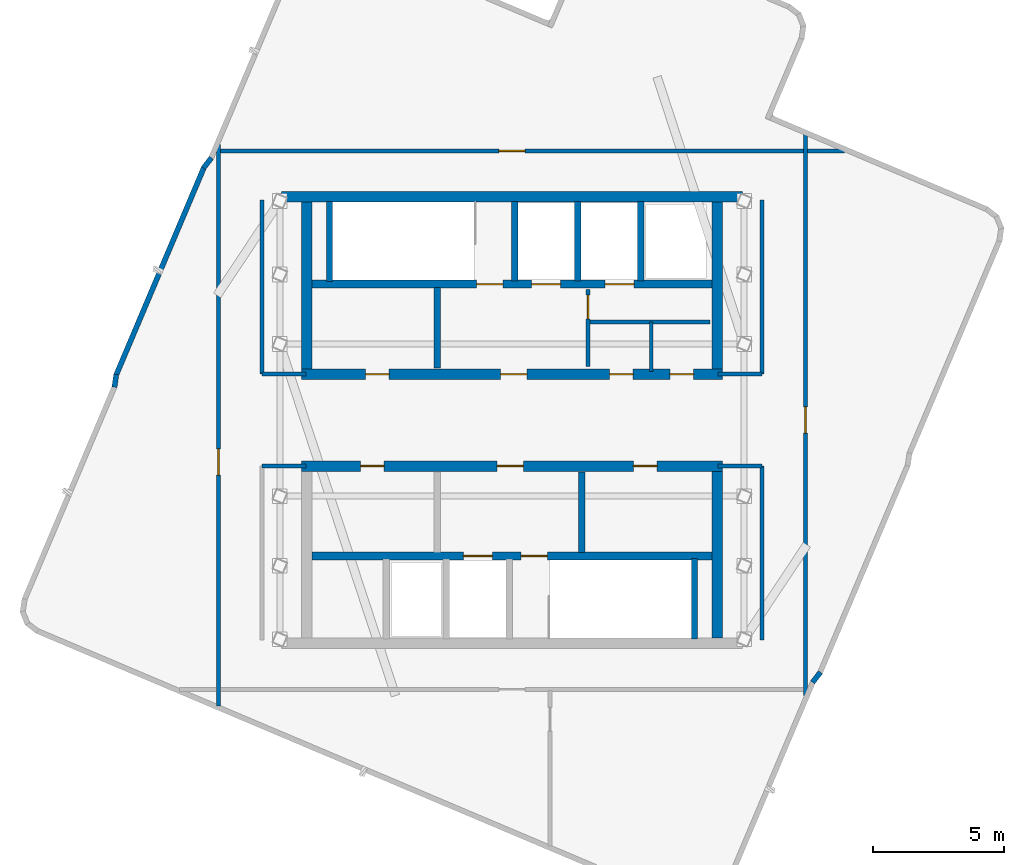
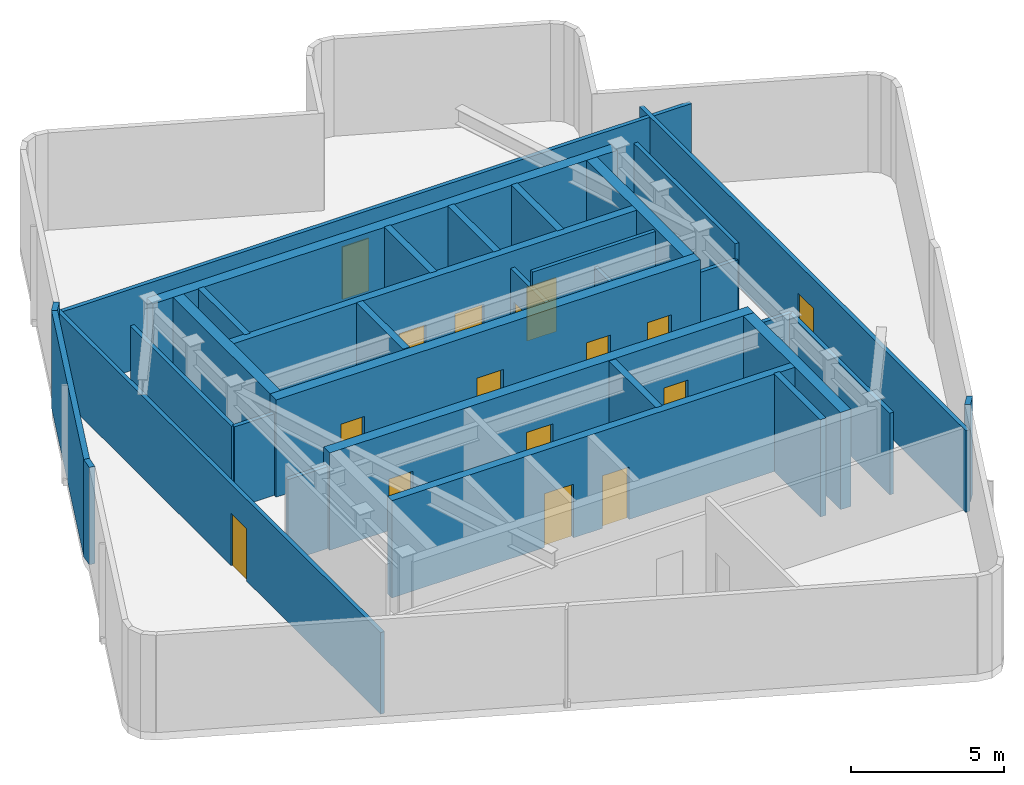
# One storey, part 2 of 4: 32 walls, 16 doors, 16 openings.
"""IFC4 building model written with IfcOpenShell, lengths in metres."""

from ifc_helpers import new_model, si_unit, direction, frame, frame_2d, origin, place, context, subcontext, project, spatial, rectangle, extrude, material, layer, layer_set, type_object, element, fill, save


model = new_model("IFC4")

# Units and contexts
model_context = context("Model", 3, precision=1e-05, world=origin(), true_north=direction((0.0, 1.0)))
body_context = subcontext(model_context, "Body", "Model", "MODEL_VIEW")
ifc_project = project(units=[si_unit("LENGTHUNIT", "METRE"), si_unit("AREAUNIT", "SQUARE_METRE"), si_unit("VOLUMEUNIT", "CUBIC_METRE"), si_unit("PLANEANGLEUNIT", "RADIAN"), si_unit("MASSUNIT", "GRAM", prefix="KILO")], contexts=[model_context])

# Site, building, storey
site_placement = place(None, origin())
site = spatial("IfcSite", under=ifc_project, at=site_placement, CompositionType="ELEMENT")
building_placement = place(site_placement, origin())
building = spatial("IfcBuilding", under=site, at=building_placement, Name="Solmarez Civic Tower", CompositionType="ELEMENT")
storey_placement = place(building_placement, frame((0.0, 0.0, 301.679931640625)))
storey = spatial("IfcBuildingStorey", under=building, at=storey_placement, Name="L81 Crown", CompositionType="ELEMENT", Elevation=301.679931640625)

# Wall
ifc_material_1 = material(Name="Concrete C50/60", Category="concrete")
ifc_layer_1 = layer(ifc_material_1, 0.39990234375)
ifc_layer_set_1 = layer_set([ifc_layer_1], Name="Concrete C50/60")
wall_type_1 = type_object("IfcWallType", Name="WALL-CORE-400", PredefinedType="SHEAR", material=ifc_layer_set_1)
wall_1_placement = place(storey_placement, frame((-8.780029296875, 8.510009765625, 0.0), z_axis=(0.0, 0.0, 1.0), x_axis=(1.0, 0.0, 0.0)))
element("IfcWall", 1, at=wall_1_placement, inside=storey, type_object=wall_type_1, Name="L81 Crown Split-Core Structural Wall NCW-N-L81 Crown", PredefinedType="SHEAR", context=body_context, shape_type="SweptSolid", body=[
    extrude(rectangle(XDim=17.56005859375, YDim=0.39990234375, at=frame_2d((8.780029296875, 0.0))), origin(), (0.0, 0.0, 1.0), 3.89013671875),
])

# Wall, openings, doors
wall_2_placement = place(storey_placement, frame((8.02001953125, 1.75, 0.0), z_axis=(0.0, 0.0, 1.0), x_axis=(-1.0, 0.0, 0.0)))
wall_2 = element("IfcWall", 2, at=wall_2_placement, inside=storey, type_object=wall_type_1, Name="L81 Crown Split-Core Structural Wall NCW-S-L81 Crown", PredefinedType="SHEAR", context=body_context, shape_type="SweptSolid", body=[
    extrude(rectangle(XDim=16.0400390625, YDim=0.39990234375, at=frame_2d((8.02001953125, 0.0))), origin(), (0.0, 0.0, 1.0), 3.89013671875),
])
opening_1_placement = place(wall_2_placement, frame((7.449951171875, 0.0, 0.0)))
opening_1 = element("IfcOpeningElement", 3, at=opening_1_placement, cuts=wall_2, Name="Opening D-04", PredefinedType="OPENING", context=body_context, shape_type="SweptSolid", body=[
    extrude(rectangle(XDim=1.0, YDim=2.10009765625, at=frame_2d((0.5, 1.050048828125))), frame((0.0, 0.2099609375, 0.0), z_axis=(0.0, -1.0, 0.0), x_axis=(1.0, 0.0, 0.0)), (0.0, 0.0, 1.0), 0.419921875),
])
opening_2_placement = place(wall_2_placement, frame((12.699951171875, 0.0, 0.0)))
opening_2 = element("IfcOpeningElement", 4, at=opening_2_placement, cuts=wall_2, Name="Opening D-09", PredefinedType="OPENING", context=body_context, shape_type="SweptSolid", body=[
    extrude(rectangle(XDim=0.89990234375, YDim=2.06005859375, at=frame_2d((0.449951171875, 1.030029296875))), frame((0.0, 0.2099609375, 0.0), z_axis=(0.0, -1.0, 0.0), x_axis=(1.0, 0.0, 0.0)), (0.0, 0.0, 1.0), 0.419921875),
])
opening_3_placement = place(wall_2_placement, frame((3.39990234375, 0.0, 0.0)))
opening_3 = element("IfcOpeningElement", 5, at=opening_3_placement, cuts=wall_2, Name="Opening D-09", PredefinedType="OPENING", context=body_context, shape_type="SweptSolid", body=[
    extrude(rectangle(XDim=0.89990234375, YDim=2.06005859375, at=frame_2d((0.449951171875, 1.030029296875))), frame((0.0, 0.2099609375, 0.0), z_axis=(0.0, -1.0, 0.0), x_axis=(1.0, 0.0, 0.0)), (0.0, 0.0, 1.0), 0.419921875),
])
opening_4_placement = place(wall_2_placement, frame((1.10009765625, 0.0, 0.0)))
opening_4 = element("IfcOpeningElement", 6, at=opening_4_placement, cuts=wall_2, Name="Opening D-09", PredefinedType="OPENING", context=body_context, shape_type="SweptSolid", body=[
    extrude(rectangle(XDim=0.89990234375, YDim=2.06005859375, at=frame_2d((0.449951171875, 1.030029296875))), frame((0.0, 0.2099609375, 0.0), z_axis=(0.0, -1.0, 0.0), x_axis=(1.0, 0.0, 0.0)), (0.0, 0.0, 1.0), 0.419921875),
])
ifc_material_2 = material(Name="Steel-Faced Acoustic Fire Door", Category="steel")
door_type_1 = type_object("IfcDoorType", Name="DOOR-FD60-1000", OperationType="NOTDEFINED", PredefinedType="DOOR", material=ifc_material_2)
door_1_placement = place(opening_1_placement, origin())
door_1 = element("IfcDoor", 7, at=door_1_placement, inside=storey, type_object=door_type_1, Name="L81 Crown North Firefighting Lobby Door", OperationType="SINGLE_SWING_RIGHT", OverallHeight=2.10009765625, OverallWidth=1.0, PredefinedType="DOOR", context=body_context, shape_type="SweptSolid", body=[
    extrude(rectangle(XDim=1.0, YDim=2.10009765625, at=frame_2d((0.5, 1.050048828125))), frame((0.0, 0.02490234375, 0.0), z_axis=(0.0, -1.0, 0.0), x_axis=(1.0, 0.0, 0.0)), (0.0, 0.0, 1.0), 0.050048828125),
])
fill(opening_1, door_1)
ifc_material_3 = material(Name="Fire-Rated Service Core Door", Category="wood")
door_type_2 = type_object("IfcDoorType", Name="DOOR-FD60-900", OperationType="NOTDEFINED", PredefinedType="DOOR", material=ifc_material_3)
door_2_placement = place(opening_2_placement, origin())
door_2 = element("IfcDoor", 8, at=door_2_placement, inside=storey, type_object=door_type_2, Name="L81 Crown Crown Catering Pantry Door", OperationType="SINGLE_SWING_LEFT", OverallHeight=2.06005859375, OverallWidth=0.89990234375, PredefinedType="DOOR", context=body_context, shape_type="SweptSolid", body=[
    extrude(rectangle(XDim=0.89990234375, YDim=2.06005859375, at=frame_2d((0.449951171875, 1.030029296875))), frame((0.0, 0.02490234375, 0.0), z_axis=(0.0, -1.0, 0.0), x_axis=(1.0, 0.0, 0.0)), (0.0, 0.0, 1.0), 0.050048828125),
])
fill(opening_2, door_2)
door_3_placement = place(opening_3_placement, origin())
door_3 = element("IfcDoor", 9, at=door_3_placement, inside=storey, type_object=door_type_2, Name="L81 Crown Core WC Door", OperationType="SINGLE_SWING_LEFT", OverallHeight=2.06005859375, OverallWidth=0.89990234375, PredefinedType="DOOR", context=body_context, shape_type="SweptSolid", body=[
    extrude(rectangle(XDim=0.89990234375, YDim=2.06005859375, at=frame_2d((0.449951171875, 1.030029296875))), frame((0.0, 0.02490234375, 0.0), z_axis=(0.0, -1.0, 0.0), x_axis=(1.0, 0.0, 0.0)), (0.0, 0.0, 1.0), 0.050048828125),
])
fill(opening_3, door_3)
door_4_placement = place(opening_4_placement, origin())
door_4 = element("IfcDoor", 10, at=door_4_placement, inside=storey, type_object=door_type_2, Name="L81 Crown Core CL Door", OperationType="SINGLE_SWING_RIGHT", OverallHeight=2.06005859375, OverallWidth=0.89990234375, PredefinedType="DOOR", context=body_context, shape_type="SweptSolid", body=[
    extrude(rectangle(XDim=0.89990234375, YDim=2.06005859375, at=frame_2d((0.449951171875, 1.030029296875))), frame((0.0, 0.02490234375, 0.0), z_axis=(0.0, -1.0, 0.0), x_axis=(1.0, 0.0, 0.0)), (0.0, 0.0, 1.0), 0.050048828125),
])
fill(opening_4, door_4)

# Walls
for number, where, z_axis, x_axis, name in (
    (11, (-7.820068359375, 1.949951171875, 0.0), (0.0, 0.0, 1.0), (0.0, 1.0, 0.0), "L81 Crown Split-Core Structural Wall NCW-W-L81 Crown"),
    (12, (7.820068359375, 8.31005859375, 0.0), (0.0, 0.0, 1.0), (0.0, -1.0, 0.0), "L81 Crown Split-Core Structural Wall NCW-E-L81 Crown"),
):
    element("IfcWall", number, at=place(storey_placement, frame(where, z_axis=z_axis, x_axis=x_axis)), inside=storey, type_object=wall_type_1, Name=name, PredefinedType="SHEAR", context=body_context, shape_type="SweptSolid", body=[
        extrude(rectangle(XDim=6.360107421875, YDim=0.39990234375, at=frame_2d((3.18017578125, 0.0))), origin(), (0.0, 0.0, 1.0), 3.89013671875),
    ])

# Wall, openings, doors
wall_3_placement = place(storey_placement, frame((-8.02001953125, -1.75, 0.0), z_axis=(0.0, 0.0, 1.0), x_axis=(1.0, 0.0, 0.0)))
wall_3 = element("IfcWall", 13, at=wall_3_placement, inside=storey, type_object=wall_type_1, Name="L81 Crown Split-Core Structural Wall SCW-N-L81 Crown", PredefinedType="SHEAR", context=body_context, shape_type="SweptSolid", body=[
    extrude(rectangle(XDim=16.0400390625, YDim=0.39990234375, at=frame_2d((8.02001953125, 0.0))), origin(), (0.0, 0.0, 1.0), 3.89013671875),
])
opening_5_placement = place(wall_3_placement, frame((7.449951171875, 0.0, 0.0)))
opening_5 = element("IfcOpeningElement", 14, at=opening_5_placement, cuts=wall_3, Name="Opening D-04", PredefinedType="OPENING", context=body_context, shape_type="SweptSolid", body=[
    extrude(rectangle(XDim=1.0, YDim=2.10009765625, at=frame_2d((0.5, 1.050048828125))), frame((0.0, 0.2099609375, 0.0), z_axis=(0.0, -1.0, 0.0), x_axis=(1.0, 0.0, 0.0)), (0.0, 0.0, 1.0), 0.419921875),
])
opening_6_placement = place(wall_3_placement, frame((12.64990234375, 0.0, 0.0)))
opening_6 = element("IfcOpeningElement", 15, at=opening_6_placement, cuts=wall_3, Name="Opening D-09", PredefinedType="OPENING", context=body_context, shape_type="SweptSolid", body=[
    extrude(rectangle(XDim=0.89990234375, YDim=2.06005859375, at=frame_2d((0.449951171875, 1.030029296875))), frame((0.0, 0.2099609375, 0.0), z_axis=(0.0, -1.0, 0.0), x_axis=(1.0, 0.0, 0.0)), (0.0, 0.0, 1.0), 0.419921875),
])
opening_7_placement = place(wall_3_placement, frame((2.25, 0.0, 0.0)))
opening_7 = element("IfcOpeningElement", 16, at=opening_7_placement, cuts=wall_3, Name="Opening D-09", PredefinedType="OPENING", context=body_context, shape_type="SweptSolid", body=[
    extrude(rectangle(XDim=0.89990234375, YDim=2.06005859375, at=frame_2d((0.449951171875, 1.030029296875))), frame((0.0, 0.2099609375, 0.0), z_axis=(0.0, -1.0, 0.0), x_axis=(1.0, 0.0, 0.0)), (0.0, 0.0, 1.0), 0.419921875),
])
door_5_placement = place(opening_5_placement, origin())
door_5 = element("IfcDoor", 17, at=door_5_placement, inside=storey, type_object=door_type_1, Name="L81 Crown South Firefighting Lobby Door", OperationType="SINGLE_SWING_LEFT", OverallHeight=2.10009765625, OverallWidth=1.0, PredefinedType="DOOR", context=body_context, shape_type="SweptSolid", body=[
    extrude(rectangle(XDim=1.0, YDim=2.10009765625, at=frame_2d((0.5, 1.050048828125))), frame((0.0, 0.02490234375, 0.0), z_axis=(0.0, -1.0, 0.0), x_axis=(1.0, 0.0, 0.0)), (0.0, 0.0, 1.0), 0.050048828125),
])
fill(opening_5, door_5)
door_6_placement = place(opening_6_placement, origin())
door_6 = element("IfcDoor", 18, at=door_6_placement, inside=storey, type_object=door_type_2, Name="L81 Crown Freed Hoistway Mailroom Door", OperationType="SINGLE_SWING_LEFT", OverallHeight=2.06005859375, OverallWidth=0.89990234375, PredefinedType="DOOR", context=body_context, shape_type="SweptSolid", body=[
    extrude(rectangle(XDim=0.89990234375, YDim=2.06005859375, at=frame_2d((0.449951171875, 1.030029296875))), frame((0.0, 0.02490234375, 0.0), z_axis=(0.0, -1.0, 0.0), x_axis=(1.0, 0.0, 0.0)), (0.0, 0.0, 1.0), 0.050048828125),
])
fill(opening_6, door_6)
door_7_placement = place(opening_7_placement, origin())
door_7 = element("IfcDoor", 19, at=door_7_placement, inside=storey, type_object=door_type_2, Name="L81 Crown Delegation Tea Pantry Door", OperationType="SINGLE_SWING_RIGHT", OverallHeight=2.06005859375, OverallWidth=0.89990234375, PredefinedType="DOOR", context=body_context, shape_type="SweptSolid", body=[
    extrude(rectangle(XDim=0.89990234375, YDim=2.06005859375, at=frame_2d((0.449951171875, 1.030029296875))), frame((0.0, 0.02490234375, 0.0), z_axis=(0.0, -1.0, 0.0), x_axis=(1.0, 0.0, 0.0)), (0.0, 0.0, 1.0), 0.050048828125),
])
fill(opening_7, door_7)

# Walls
wall_4_placement = place(storey_placement, frame((7.820068359375, -1.949951171875, 0.0), z_axis=(0.0, 0.0, 1.0), x_axis=(0.0, -1.0, 0.0)))
element("IfcWall", 20, at=wall_4_placement, inside=storey, type_object=wall_type_1, Name="L81 Crown Split-Core Structural Wall SCW-E-L81 Crown", PredefinedType="SHEAR", context=body_context, shape_type="SweptSolid", body=[
    extrude(rectangle(XDim=6.360107421875, YDim=0.39990234375, at=frame_2d((3.18017578125, 0.0))), origin(), (0.0, 0.0, 1.0), 3.89013671875),
])
ifc_material_4 = material(Name="Precast concrete C40/50", Category="concrete")
ifc_layer_2 = layer(ifc_material_4, 0.199951171875)
ifc_layer_set_2 = layer_set([ifc_layer_2], Name="Precast concrete C40/50")
wall_type_2 = type_object("IfcWallType", Name="WALL-EXT-200", PredefinedType="SOLIDWALL", material=ifc_layer_set_2)
wall_5_placement = place(storey_placement, frame((11.756103515625, -9.60791015625, 0.0), z_axis=(0.0, 0.0, 1.0), x_axis=(-0.61252495827, -0.79045124802, 0.0)))
element("IfcWall", 21, at=wall_5_placement, inside=storey, type_object=wall_type_2, Name="L81 Crown Exterior Precast Wall 2", PredefinedType="SOLIDWALL", context=body_context, shape_type="SweptSolid", body=[
    extrude(rectangle(XDim=0.48974609375, YDim=0.199951171875, at=frame_2d((0.244873046875, 0.0))), origin(), (0.0, 0.0, 1.0), 3.89013671875),
])
wall_6_placement = place(storey_placement, frame((-15.152099609375, 1.2548828125, 0.0), z_axis=(0.0, 0.0, 1.0), x_axis=(0.142673990232, 0.989769737116, 0.0)))
element("IfcWall", 22, at=wall_6_placement, inside=storey, type_object=wall_type_2, Name="L81 Crown Exterior Precast Wall 12", PredefinedType="SOLIDWALL", context=body_context, shape_type="SweptSolid", body=[
    extrude(rectangle(XDim=0.4912109375, YDim=0.199951171875, at=frame_2d((0.24560546875, 0.0))), origin(), (0.0, 0.0, 1.0), 3.89013671875),
])
wall_7_placement = place(storey_placement, frame((-15.095947265625, 1.693115234375, 0.0), z_axis=(0.0, 0.0, 1.0), x_axis=(0.389467605067, 0.92104016449, 0.0)))
element("IfcWall", 23, at=wall_7_placement, inside=storey, type_object=wall_type_2, Name="L81 Crown Exterior Precast Wall 14", PredefinedType="SOLIDWALL", context=body_context, shape_type="SweptSolid", body=[
    extrude(rectangle(XDim=8.639892578125, YDim=0.199951171875, at=frame_2d((4.31982421875, 0.0))), origin(), (0.0, 0.0, 1.0), 3.89013671875),
])
wall_8_placement = place(storey_placement, frame((-11.756103515625, 9.60791015625, 0.0), z_axis=(0.0, 0.0, 1.0), x_axis=(0.61252495827, 0.79045124802, 0.0)))
element("IfcWall", 24, at=wall_8_placement, inside=storey, type_object=wall_type_2, Name="L81 Crown Exterior Precast Wall 16", PredefinedType="SOLIDWALL", context=body_context, shape_type="SweptSolid", body=[
    extrude(rectangle(XDim=0.48974609375, YDim=0.199951171875, at=frame_2d((0.244873046875, 0.0))), origin(), (0.0, 0.0, 1.0), 3.89013671875),
])
ifc_material_5 = material(Name="Gypsum Board Acoustic Steel-Stud Partition", Category="steel")
ifc_layer_3 = layer(ifc_material_5, 0.14990234375)
ifc_layer_set_3 = layer_set([ifc_layer_3], Name="Gypsum Board Acoustic Steel-Stud Partition")
wall_type_3 = type_object("IfcWallType", Name="WALL-INT-FIRE-150", PredefinedType="PARTITIONING", material=ifc_layer_set_3)
wall_9_placement = place(storey_placement, frame((-9.52001953125, 1.75, 0.0), z_axis=(0.0, 0.0, 1.0), x_axis=(0.0, 1.0, 0.0)))
element("IfcWall", 25, at=wall_9_placement, inside=storey, type_object=wall_type_3, Name="L81 Crown Interior Partition CHW-L81 Crown-WN1", PredefinedType="PARTITIONING", context=body_context, shape_type="SweptSolid", body=[
    extrude(rectangle(XDim=6.6298828125, YDim=0.14990234375, at=frame_2d((3.31494140625, 0.0))), origin(), (0.0, 0.0, 1.0), 3.260009765625),
])
wall_10_placement = place(storey_placement, frame((-7.85009765625, 1.75, 0.0), z_axis=(0.0, 0.0, 1.0), x_axis=(-1.0, 0.0, 0.0)))
element("IfcWall", 26, at=wall_10_placement, inside=storey, type_object=wall_type_3, Name="L81 Crown Interior Partition CHW-L81 Crown-WN3", PredefinedType="PARTITIONING", context=body_context, shape_type="SweptSolid", body=[
    extrude(rectangle(XDim=1.669921875, YDim=0.14990234375, at=frame_2d((0.8349609375, 0.0))), origin(), (0.0, 0.0, 1.0), 3.260009765625),
])
wall_11_placement = place(storey_placement, frame((-7.85009765625, -1.75, 0.0), z_axis=(0.0, 0.0, 1.0), x_axis=(-1.0, 0.0, 0.0)))
element("IfcWall", 27, at=wall_11_placement, inside=storey, type_object=wall_type_3, Name="L81 Crown Interior Partition CHW-L81 Crown-WS3", PredefinedType="PARTITIONING", context=body_context, shape_type="SweptSolid", body=[
    extrude(rectangle(XDim=1.669921875, YDim=0.14990234375, at=frame_2d((0.8349609375, 0.0))), origin(), (0.0, 0.0, 1.0), 3.27001953125),
])
wall_12_placement = place(storey_placement, frame((9.52001953125, 1.75, 0.0), z_axis=(0.0, 0.0, 1.0), x_axis=(0.0, 1.0, 0.0)))
element("IfcWall", 28, at=wall_12_placement, inside=storey, type_object=wall_type_3, Name="L81 Crown Interior Partition CHW-L81 Crown-EN1", PredefinedType="PARTITIONING", context=body_context, shape_type="SweptSolid", body=[
    extrude(rectangle(XDim=6.6298828125, YDim=0.14990234375, at=frame_2d((3.31494140625, 0.0))), origin(), (0.0, 0.0, 1.0), 3.89013671875),
])
wall_13_placement = place(storey_placement, frame((7.85009765625, 1.75, 0.0), z_axis=(0.0, 0.0, 1.0), x_axis=(1.0, 0.0, 0.0)))
element("IfcWall", 29, at=wall_13_placement, inside=storey, type_object=wall_type_3, Name="L81 Crown Interior Partition CHW-L81 Crown-EN3", PredefinedType="PARTITIONING", context=body_context, shape_type="SweptSolid", body=[
    extrude(rectangle(XDim=1.669921875, YDim=0.14990234375, at=frame_2d((0.8349609375, 0.0))), origin(), (0.0, 0.0, 1.0), 3.27001953125),
])
wall_14_placement = place(storey_placement, frame((9.52001953125, -8.3798828125, 0.0), z_axis=(0.0, 0.0, 1.0), x_axis=(0.0, 1.0, 0.0)))
element("IfcWall", 30, at=wall_14_placement, inside=storey, type_object=wall_type_3, Name="L81 Crown Interior Partition CHW-L81 Crown-ES1", PredefinedType="PARTITIONING", context=body_context, shape_type="SweptSolid", body=[
    extrude(rectangle(XDim=6.6298828125, YDim=0.14990234375, at=frame_2d((3.31494140625, 0.0))), origin(), (0.0, 0.0, 1.0), 3.260009765625),
])
wall_15_placement = place(storey_placement, frame((7.85009765625, -1.75, 0.0), z_axis=(0.0, 0.0, 1.0), x_axis=(1.0, 0.0, 0.0)))
element("IfcWall", 31, at=wall_15_placement, inside=storey, type_object=wall_type_3, Name="L81 Crown Interior Partition CHW-L81 Crown-ES3", PredefinedType="PARTITIONING", context=body_context, shape_type="SweptSolid", body=[
    extrude(rectangle(XDim=1.669921875, YDim=0.14990234375, at=frame_2d((0.8349609375, 0.0))), origin(), (0.0, 0.0, 1.0), 3.27001953125),
])

# Wall, opening, door
wall_16_placement = place(storey_placement, frame((11.179931640625, 10.89111328125, 0.0), z_axis=(0.0, 0.0, 1.0), x_axis=(0.0, -1.0, 0.0)))
wall_16 = element("IfcWall", 32, at=wall_16_placement, inside=storey, type_object=wall_type_3, Name="L81 Crown Interior Partition PT-L81 Crown-E", PredefinedType="PARTITIONING", context=body_context, shape_type="SweptSolid", body=[
    extrude(rectangle(XDim=21.38720703125, YDim=0.14990234375, at=frame_2d((10.693603515625, 0.0))), origin(), (0.0, 0.0, 1.0), 3.260009765625),
])
opening_8_placement = place(wall_16_placement, frame((10.39111328125, 0.0, 0.0)))
opening_8 = element("IfcOpeningElement", 33, at=opening_8_placement, cuts=wall_16, Name="Opening D-04", PredefinedType="OPENING", context=body_context, shape_type="SweptSolid", body=[
    extrude(rectangle(XDim=1.0, YDim=2.10009765625, at=frame_2d((0.5, 1.050048828125))), frame((0.0, 0.0849609375, 0.0), z_axis=(0.0, -1.0, 0.0), x_axis=(1.0, 0.0, 0.0)), (0.0, 0.0, 1.0), 0.169921875),
])
door_8_placement = place(opening_8_placement, origin())
door_8 = element("IfcDoor", 34, at=door_8_placement, inside=storey, type_object=door_type_1, Name="L81 Crown Crown Chiller Plant Room Door", OperationType="SINGLE_SWING_LEFT", OverallHeight=2.10009765625, OverallWidth=1.0, PredefinedType="DOOR", context=body_context, shape_type="SweptSolid", body=[
    extrude(rectangle(XDim=1.0, YDim=2.10009765625, at=frame_2d((0.5, 1.050048828125))), frame((0.0, 0.02490234375, 0.0), z_axis=(0.0, -1.0, 0.0), x_axis=(1.0, 0.0, 0.0)), (0.0, 0.0, 1.0), 0.050048828125),
])
fill(opening_8, door_8)

wall_17_placement = place(storey_placement, frame((-11.280029296875, 10.260009765625, 0.0), z_axis=(0.0, 0.0, 1.0), x_axis=(1.0, 0.0, 0.0)))
wall_17 = element("IfcWall", 35, at=wall_17_placement, inside=storey, type_object=wall_type_3, Name="L81 Crown Interior Partition PT-L81 Crown-N", PredefinedType="PARTITIONING", context=body_context, shape_type="SweptSolid", body=[
    extrude(rectangle(XDim=23.9521484375, YDim=0.14990234375, at=frame_2d((11.97607421875, 0.0))), origin(), (0.0, 0.0, 1.0), 3.260009765625),
])
opening_9_placement = place(wall_17_placement, frame((10.780029296875, 0.0, 0.0)))
opening_9 = element("IfcOpeningElement", 36, at=opening_9_placement, cuts=wall_17, Name="Opening D-04", PredefinedType="OPENING", context=body_context, shape_type="SweptSolid", body=[
    extrude(rectangle(XDim=1.0, YDim=2.10009765625, at=frame_2d((0.5, 1.050048828125))), frame((0.0, 0.0849609375, 0.0), z_axis=(0.0, -1.0, 0.0), x_axis=(1.0, 0.0, 0.0)), (0.0, 0.0, 1.0), 0.169921875),
])
door_9_placement = place(opening_9_placement, origin())
door_9 = element("IfcDoor", 37, at=door_9_placement, inside=storey, type_object=door_type_1, Name="L81 Crown Cooling Tower Plant Room Door", OperationType="SINGLE_SWING_RIGHT", OverallHeight=2.10009765625, OverallWidth=1.0, PredefinedType="DOOR", context=body_context, shape_type="SweptSolid", body=[
    extrude(rectangle(XDim=1.0, YDim=2.10009765625, at=frame_2d((0.5, 1.050048828125))), frame((0.0, 0.02490234375, 0.0), z_axis=(0.0, -1.0, 0.0), x_axis=(1.0, 0.0, 0.0)), (0.0, 0.0, 1.0), 0.050048828125),
])
fill(opening_9, door_9)

wall_18_placement = place(storey_placement, frame((-11.179931640625, -10.89111328125, 0.0), z_axis=(0.0, 0.0, 1.0), x_axis=(0.0, 1.0, 0.0)))
wall_18 = element("IfcWall", 38, at=wall_18_placement, inside=storey, type_object=wall_type_3, Name="L81 Crown Interior Partition PT-L81 Crown-W", PredefinedType="PARTITIONING", context=body_context, shape_type="SweptSolid", body=[
    extrude(rectangle(XDim=21.38720703125, YDim=0.14990234375, at=frame_2d((10.693603515625, 0.0))), origin(), (0.0, 0.0, 1.0), 3.260009765625),
])
opening_10_placement = place(wall_18_placement, frame((8.791015625, 0.0, 0.0)))
opening_10 = element("IfcOpeningElement", 39, at=opening_10_placement, cuts=wall_18, Name="Opening D-04", PredefinedType="OPENING", context=body_context, shape_type="SweptSolid", body=[
    extrude(rectangle(XDim=1.0, YDim=2.10009765625, at=frame_2d((0.5, 1.050048828125))), frame((0.0, 0.0849609375, 0.0), z_axis=(0.0, -1.0, 0.0), x_axis=(1.0, 0.0, 0.0)), (0.0, 0.0, 1.0), 0.169921875),
])
door_10_placement = place(opening_10_placement, origin())
door_10 = element("IfcDoor", 40, at=door_10_placement, inside=storey, type_object=door_type_1, Name="L81 Crown Elevator Motor and Machine Room Door", OperationType="SINGLE_SWING_LEFT", OverallHeight=2.10009765625, OverallWidth=1.0, PredefinedType="DOOR", context=body_context, shape_type="SweptSolid", body=[
    extrude(rectangle(XDim=1.0, YDim=2.10009765625, at=frame_2d((0.5, 1.050048828125))), frame((0.0, 0.02490234375, 0.0), z_axis=(0.0, -1.0, 0.0), x_axis=(1.0, 0.0, 0.0)), (0.0, 0.0, 1.0), 0.050048828125),
])
fill(opening_10, door_10)

ifc_layer_4 = layer(ifc_material_5, 0.159912109375)
ifc_layer_set_4 = layer_set([ifc_layer_4], Name="Gypsum Board Acoustic Steel-Stud Partition")
wall_type_4 = type_object("IfcWallType", Name="WALL-INT-SHAFT-160", PredefinedType="PARTITIONING", material=ifc_layer_set_4)
wall_19_placement = place(storey_placement, frame((2.89990234375, 2.0400390625, 0.0), z_axis=(0.0, 0.0, 1.0), x_axis=(0.0, 1.0, 0.0)))
wall_19 = element("IfcWall", 41, at=wall_19_placement, inside=storey, type_object=wall_type_4, Name="L81 Crown Interior Partition SHW-NL2-L81 Crown", PredefinedType="PARTITIONING", context=body_context, shape_type="SweptSolid", body=[
    extrude(rectangle(XDim=2.93994140625, YDim=0.159912109375, at=frame_2d((1.469970703125, 0.0))), origin(), (0.0, 0.0, 1.0), 3.27001953125),
])
opening_11_placement = place(wall_19_placement, frame((1.820068359375, 0.0, 0.0)))
opening_11 = element("IfcOpeningElement", 42, at=opening_11_placement, cuts=wall_19, Name="Opening D-09", PredefinedType="OPENING", context=body_context, shape_type="SweptSolid", body=[
    extrude(rectangle(XDim=0.89990234375, YDim=2.06005859375, at=frame_2d((0.449951171875, 1.030029296875))), frame((0.0, 0.08984375, 0.0), z_axis=(0.0, -1.0, 0.0), x_axis=(1.0, 0.0, 0.0)), (0.0, 0.0, 1.0), 0.179931640625),
])
door_11_placement = place(opening_11_placement, origin())
door_11 = element("IfcDoor", 43, at=door_11_placement, inside=storey, type_object=door_type_2, Name="L81 Crown Service Lift Lobby Door", OperationType="SINGLE_SWING_LEFT", OverallHeight=2.06005859375, OverallWidth=0.89990234375, PredefinedType="DOOR", context=body_context, shape_type="SweptSolid", body=[
    extrude(rectangle(XDim=0.89990234375, YDim=2.06005859375, at=frame_2d((0.449951171875, 1.030029296875))), frame((0.0, 0.02490234375, 0.0), z_axis=(0.0, -1.0, 0.0), x_axis=(1.0, 0.0, 0.0)), (0.0, 0.0, 1.0), 0.050048828125),
])
fill(opening_11, door_11)

# Walls
ifc_layer_5 = layer(ifc_material_5, 0.137939453125)
ifc_layer_set_5 = layer_set([ifc_layer_5], Name="Gypsum Board Acoustic Steel-Stud Partition")
wall_type_5 = type_object("IfcWallType", Name="WALL-INT-WET-140", PredefinedType="PARTITIONING", material=ifc_layer_set_5)
wall_20_placement = place(storey_placement, frame((2.89990234375, 3.739990234375, 0.0), z_axis=(0.0, 0.0, 1.0), x_axis=(1.0, 0.0, 0.0)))
element("IfcWall", 44, at=wall_20_placement, inside=storey, type_object=wall_type_5, Name="L81 Crown Interior Partition SHW-SVH-L81 Crown", PredefinedType="PARTITIONING", context=body_context, shape_type="SweptSolid", body=[
    extrude(rectangle(XDim=4.650146484375, YDim=0.137939453125, at=frame_2d((2.3251953125, 0.0))), origin(), (0.0, 0.0, 1.0), 3.89013671875),
])
wall_21_placement = place(storey_placement, frame((5.300048828125, 1.85009765625, 0.0), z_axis=(0.0, 0.0, 1.0), x_axis=(0.0, 1.0, 0.0)))
element("IfcWall", 45, at=wall_21_placement, inside=storey, type_object=wall_type_5, Name="L81 Crown Interior Partition PT-NCSV-L81 Crown", PredefinedType="PARTITIONING", context=body_context, shape_type="SweptSolid", body=[
    extrude(rectangle(XDim=1.889892578125, YDim=0.137939453125, at=frame_2d((0.94482421875, 0.0))), origin(), (0.0, 0.0, 1.0), 3.27001953125),
])

# Wall, openings, doors
ifc_layer_6 = layer(ifc_material_1, 0.300048828125)
ifc_layer_set_6 = layer_set([ifc_layer_6], Name="Concrete C50/60")
wall_type_6 = type_object("IfcWallType", Name="WALL-STR-300", PredefinedType="SOLIDWALL", material=ifc_layer_set_6)
wall_22_placement = place(storey_placement, frame((7.6201171875, 5.179931640625, 0.0), z_axis=(0.0, 0.0, 1.0), x_axis=(-1.0, 0.0, 0.0)))
wall_22 = element("IfcWall", 46, at=wall_22_placement, inside=storey, type_object=wall_type_6, Name="L81 Crown Split-Core Structural Wall NCW-M-L81 Crown", PredefinedType="SOLIDWALL", context=body_context, shape_type="SweptSolid", body=[
    extrude(rectangle(XDim=15.240234375, YDim=0.300048828125, at=frame_2d((7.6201171875, 0.0))), origin(), (0.0, 0.0, 1.0), 3.89013671875),
])
opening_12_placement = place(wall_22_placement, frame((5.77001953125, 0.0, 0.0)))
opening_12 = element("IfcOpeningElement", 47, at=opening_12_placement, cuts=wall_22, Name="Opening LD-02", PredefinedType="OPENING", context=body_context, shape_type="SweptSolid", body=[
    extrude(rectangle(XDim=1.10009765625, YDim=2.14990234375, at=frame_2d((0.550048828125, 1.074951171875))), frame((0.0, 0.159912109375, 0.0), z_axis=(0.0, -1.0, 0.0), x_axis=(1.0, 0.0, 0.0)), (0.0, 0.0, 1.0), 0.320068359375),
])
opening_13_placement = place(wall_22_placement, frame((2.969970703125, 0.0, 0.0)))
opening_13 = element("IfcOpeningElement", 48, at=opening_13_placement, cuts=wall_22, Name="Opening LD-03", PredefinedType="OPENING", context=body_context, shape_type="SweptSolid", body=[
    extrude(rectangle(XDim=1.10009765625, YDim=2.14990234375, at=frame_2d((0.550048828125, 1.074951171875))), frame((0.0, 0.159912109375, 0.0), z_axis=(0.0, -1.0, 0.0), x_axis=(1.0, 0.0, 0.0)), (0.0, 0.0, 1.0), 0.320068359375),
])
opening_14_placement = place(wall_22_placement, frame((7.969970703125, 0.0, 0.0)))
opening_14 = element("IfcOpeningElement", 49, at=opening_14_placement, cuts=wall_22, Name="Opening D-05", PredefinedType="OPENING", context=body_context, shape_type="SweptSolid", body=[
    extrude(rectangle(XDim=1.0, YDim=2.10009765625, at=frame_2d((0.5, 1.050048828125))), frame((0.0, 0.159912109375, 0.0), z_axis=(0.0, -1.0, 0.0), x_axis=(1.0, 0.0, 0.0)), (0.0, 0.0, 1.0), 0.320068359375),
])
ifc_material_6 = material(Name="Fire-Rated Stairwell Exit Door", Category="wood")
door_type_3 = type_object("IfcDoorType", Name="DOOR-FD90-1000", OperationType="NOTDEFINED", PredefinedType="DOOR", material=ifc_material_6)
door_12_placement = place(opening_14_placement, origin())
door_12 = element("IfcDoor", 50, at=door_12_placement, inside=storey, type_object=door_type_3, Name="L81 Crown North Exit Stair Door ST-1", OperationType="SINGLE_SWING_RIGHT", OverallHeight=2.10009765625, OverallWidth=1.0, PredefinedType="DOOR", context=body_context, shape_type="SweptSolid", body=[
    extrude(rectangle(XDim=1.0, YDim=2.10009765625, at=frame_2d((0.5, 1.050048828125))), frame((0.0, 0.02490234375, 0.0), z_axis=(0.0, -1.0, 0.0), x_axis=(1.0, 0.0, 0.0)), (0.0, 0.0, 1.0), 0.050048828125),
])
fill(opening_14, door_12)
ifc_material_7 = material(Name="Stainless Firefighting Lift Landing Sliding Door", Category="aluminium")
door_type_4 = type_object("IfcDoorType", Name="DOOR-LD-FF-1100", OperationType="DOUBLE_DOOR_SLIDING", PredefinedType="DOOR", material=ifc_material_7)
door_13_placement = place(opening_12_placement, origin())
door_13 = element("IfcDoor", 51, at=door_13_placement, inside=storey, type_object=door_type_4, Name="L81 Crown Firefighting Lift Landing Door FFL-1", OperationType="DOUBLE_DOOR_SLIDING", OverallHeight=2.14990234375, OverallWidth=1.10009765625, PredefinedType="DOOR", context=body_context, shape_type="SweptSolid", body=[
    extrude(rectangle(XDim=1.10009765625, YDim=2.14990234375, at=frame_2d((0.550048828125, 1.074951171875))), frame((0.0, 0.02490234375, 0.0), z_axis=(0.0, -1.0, 0.0), x_axis=(1.0, 0.0, 0.0)), (0.0, 0.0, 1.0), 0.050048828125),
])
fill(opening_12, door_13)
ifc_material_8 = material(Name="Stainless Stretcher Lift Landing Sliding Door", Category="aluminium")
door_type_5 = type_object("IfcDoorType", Name="DOOR-LD-SV-1100", OperationType="DOUBLE_DOOR_SLIDING", PredefinedType="DOOR", material=ifc_material_8)
door_14_placement = place(opening_13_placement, origin())
door_14 = element("IfcDoor", 52, at=door_14_placement, inside=storey, type_object=door_type_5, Name="L81 Crown Service Stretcher Lift Landing Door SVL-1", OperationType="DOUBLE_DOOR_SLIDING", OverallHeight=2.14990234375, OverallWidth=1.10009765625, PredefinedType="DOOR", context=body_context, shape_type="SweptSolid", body=[
    extrude(rectangle(XDim=1.10009765625, YDim=2.14990234375, at=frame_2d((0.550048828125, 1.074951171875))), frame((0.0, 0.02490234375, 0.0), z_axis=(0.0, -1.0, 0.0), x_axis=(1.0, 0.0, 0.0)), (0.0, 0.0, 1.0), 0.050048828125),
])
fill(opening_13, door_14)

wall_23_placement = place(storey_placement, frame((-7.6201171875, -5.179931640625, 0.0), z_axis=(0.0, 0.0, 1.0), x_axis=(1.0, 0.0, 0.0)))
wall_23 = element("IfcWall", 53, at=wall_23_placement, inside=storey, type_object=wall_type_6, Name="L81 Crown Split-Core Structural Wall SCW-M-L81 Crown", PredefinedType="SOLIDWALL", context=body_context, shape_type="SweptSolid", body=[
    extrude(rectangle(XDim=15.240234375, YDim=0.300048828125, at=frame_2d((7.6201171875, 0.0))), origin(), (0.0, 0.0, 1.0), 3.89013671875),
])
opening_15_placement = place(wall_23_placement, frame((5.77001953125, 0.0, 0.0)))
opening_15 = element("IfcOpeningElement", 54, at=opening_15_placement, cuts=wall_23, Name="Opening LD-02", PredefinedType="OPENING", context=body_context, shape_type="SweptSolid", body=[
    extrude(rectangle(XDim=1.10009765625, YDim=2.14990234375, at=frame_2d((0.550048828125, 1.074951171875))), frame((0.0, 0.159912109375, 0.0), z_axis=(0.0, -1.0, 0.0), x_axis=(1.0, 0.0, 0.0)), (0.0, 0.0, 1.0), 0.320068359375),
])
opening_16_placement = place(wall_23_placement, frame((7.969970703125, 0.0, 0.0)))
opening_16 = element("IfcOpeningElement", 55, at=opening_16_placement, cuts=wall_23, Name="Opening D-05", PredefinedType="OPENING", context=body_context, shape_type="SweptSolid", body=[
    extrude(rectangle(XDim=1.0, YDim=2.10009765625, at=frame_2d((0.5, 1.050048828125))), frame((0.0, 0.159912109375, 0.0), z_axis=(0.0, -1.0, 0.0), x_axis=(1.0, 0.0, 0.0)), (0.0, 0.0, 1.0), 0.320068359375),
])
door_15_placement = place(opening_16_placement, origin())
door_15 = element("IfcDoor", 56, at=door_15_placement, inside=storey, type_object=door_type_3, Name="L81 Crown South Exit Stair Door ST-2", OperationType="SINGLE_SWING_LEFT", OverallHeight=2.10009765625, OverallWidth=1.0, PredefinedType="DOOR", context=body_context, shape_type="SweptSolid", body=[
    extrude(rectangle(XDim=1.0, YDim=2.10009765625, at=frame_2d((0.5, 1.050048828125))), frame((0.0, 0.02490234375, 0.0), z_axis=(0.0, -1.0, 0.0), x_axis=(1.0, 0.0, 0.0)), (0.0, 0.0, 1.0), 0.050048828125),
])
fill(opening_16, door_15)
door_16_placement = place(opening_15_placement, origin())
door_16 = element("IfcDoor", 57, at=door_16_placement, inside=storey, type_object=door_type_4, Name="L81 Crown Firefighting Lift Landing Door FFL-2", OperationType="DOUBLE_DOOR_SLIDING", OverallHeight=2.14990234375, OverallWidth=1.10009765625, PredefinedType="DOOR", context=body_context, shape_type="SweptSolid", body=[
    extrude(rectangle(XDim=1.10009765625, YDim=2.14990234375, at=frame_2d((0.550048828125, 1.074951171875))), frame((0.0, 0.02490234375, 0.0), z_axis=(0.0, -1.0, 0.0), x_axis=(1.0, 0.0, 0.0)), (0.0, 0.0, 1.0), 0.050048828125),
])
fill(opening_15, door_16)

# Walls
for number, where, z_axis, x_axis, name in (
    (58, (-6.949951171875, 5.280029296875, 0.0), (0.0, 0.0, 1.0), (0.0, 1.0, 0.0), "L81 Crown Split-Core Structural Wall SHW-NW-L81 Crown"),
    (59, (6.949951171875, -8.340087890625, 0.0), (0.0, 0.0, 1.0), (0.0, 1.0, 0.0), "L81 Crown Split-Core Structural Wall SHW-SE-L81 Crown"),
):
    element("IfcWall", number, at=place(storey_placement, frame(where, z_axis=z_axis, x_axis=x_axis)), inside=storey, type_object=wall_type_6, Name=name, PredefinedType="SOLIDWALL", context=body_context, shape_type="SweptSolid", body=[
        extrude(rectangle(XDim=3.06005859375, YDim=0.219970703125, at=frame_2d((1.530029296875, 0.0))), origin(), (0.0, 0.0, 1.0), 3.89013671875),
    ])
for number, where, z_axis, x_axis, name in (
    (60, (0.10009765625, 5.300048828125, 0.0), (0.0, 0.0, 1.0), (0.0, 1.0, 0.0), "L81 Crown Split-Core Structural Wall SHW-N1-L81 Crown"),
    (61, (2.5, 5.300048828125, 0.0), (0.0, 0.0, 1.0), (0.0, 1.0, 0.0), "L81 Crown Split-Core Structural Wall SHW-N2-L81 Crown"),
    (62, (4.89990234375, 5.300048828125, 0.0), (0.0, 0.0, 1.0), (0.0, 1.0, 0.0), "L81 Crown Split-Core Structural Wall SHW-N3-L81 Crown"),
):
    element("IfcWall", number, at=place(storey_placement, frame(where, z_axis=z_axis, x_axis=x_axis)), inside=storey, type_object=wall_type_6, Name=name, PredefinedType="SOLIDWALL", context=body_context, shape_type="SweptSolid", body=[
        extrude(rectangle(XDim=3.0400390625, YDim=0.25, at=frame_2d((1.52001953125, 0.0))), origin(), (0.0, 0.0, 1.0), 3.89013671875),
    ])
for number, where, z_axis, x_axis, name in (
    (63, (-2.85009765625, 1.97998046875, 0.0), (0.0, 0.0, 1.0), (0.0, 1.0, 0.0), "L81 Crown Split-Core Structural Wall SHW-NL1-L81 Crown"),
    (64, (2.64990234375, -5.050048828125, 0.0), (0.0, 0.0, 1.0), (0.0, 1.0, 0.0), "L81 Crown Split-Core Structural Wall SHW-SL2-L81 Crown"),
):
    element("IfcWall", number, at=place(storey_placement, frame(where, z_axis=z_axis, x_axis=x_axis)), inside=storey, type_object=wall_type_6, Name=name, PredefinedType="SOLIDWALL", context=body_context, shape_type="SweptSolid", body=[
        extrude(rectangle(XDim=3.070068359375, YDim=0.25, at=frame_2d((1.53515625, 0.0))), origin(), (0.0, 0.0, 1.0), 3.89013671875),
    ])

save(model, "model.ifc")
